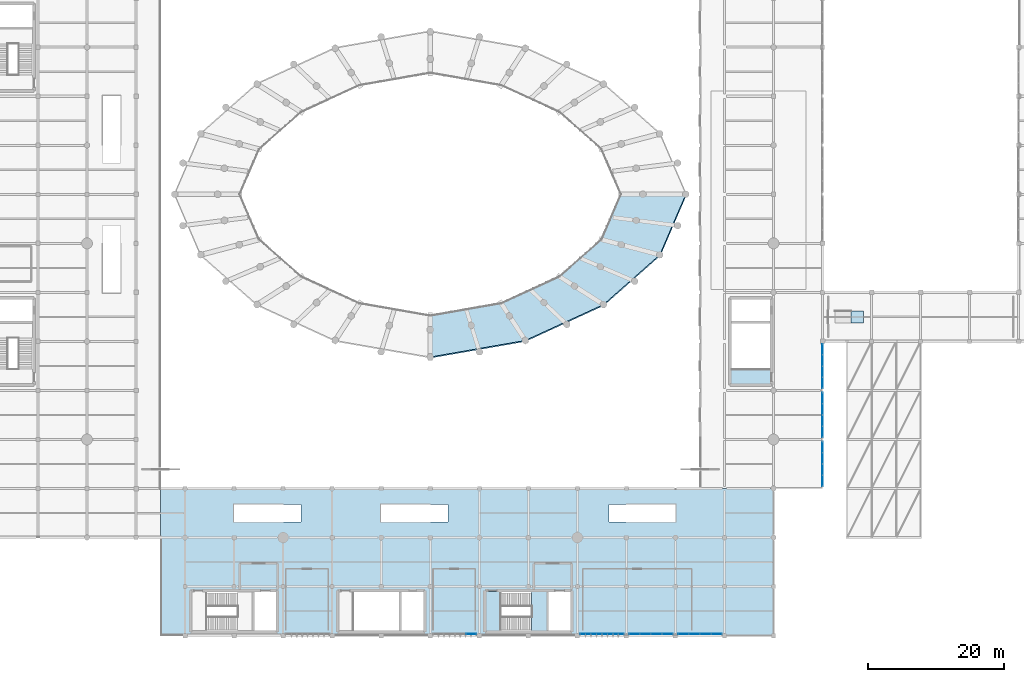
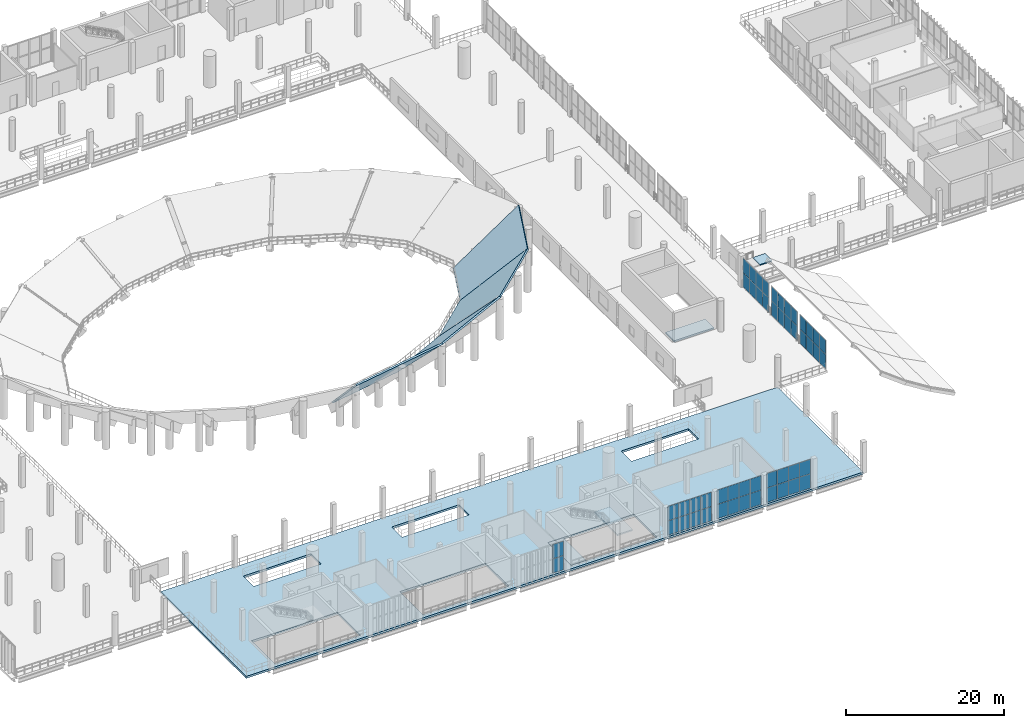
# One storey, part 75 of 105: 50 plates, 9 slabs, 9 elements without a shape of their own.
"""IFC4 building model written with IfcOpenShell, lengths in metres."""

import ifcopenshell
import ifcopenshell.guid

model = None  # the IFC model being written
_history = None  # IfcOwnerHistory: only IFC2X3 demands one
_inside = {}  # id of a spatial element -> (the spatial element, [elements in it])
_under = {}  # id of a project, library or spatial element -> (it, [spatial elements below it])
_declared = {}  # id of a project -> (the project, [libraries it declares])
_typed = {}  # id of a type object -> (the type object, [elements of that type])
_made_of = {}  # id of a material, layer set ... -> (it, [elements and type objects made of it])


def new_model(schema):
    """Start an empty IFC model of exactly this schema.

    Asked for "IFC4X3", IfcOpenShell would pick the latest addendum, in which some entities
    have other attributes; the version numbers below select the first issue.
    IFC2X3 requires an IfcOwnerHistory on every rooted entity: one is made here for all.
    """
    global model, _history
    if schema == "IFC4X3":
        model = ifcopenshell.file(schema_version=(4, 3, 0, 0))
    else:
        model = ifcopenshell.file(schema=schema)
    _inside.clear()
    _under.clear()
    _declared.clear()
    _typed.clear()
    _made_of.clear()
    _history = None
    if model.schema == "IFC2X3":
        org = make("IfcOrganization", Name="unknown")
        user = make(
            "IfcPersonAndOrganization",
            ThePerson=make("IfcPerson", FamilyName="unknown"),
            TheOrganization=org,
        )
        app = make(
            "IfcApplication",
            ApplicationDeveloper=org,
            Version="unknown",
            ApplicationFullName="unknown",
            ApplicationIdentifier="unknown",
        )
        _history = make(
            "IfcOwnerHistory",
            OwningUser=user,
            OwningApplication=app,
            ChangeAction="ADDED",
            CreationDate=0,
        )
    return model


def make(cls, **values):
    """One entity of the class cls with the attributes given. An attribute that is None is left unset."""
    return model.create_entity(
        cls, **{name: value for name, value in values.items() if value is not None}
    )


def rooted(cls, **values):
    """An entity with a GlobalId (a new one), such as an element, a storey or a relation."""
    return make(cls, GlobalId=ifcopenshell.guid.new(), OwnerHistory=_history, **values)


def si_unit(unit_type, name, prefix=None):
    """IfcSIUnit, for example si_unit("LENGTHUNIT", "METRE", prefix="MILLI")."""
    return make("IfcSIUnit", UnitType=unit_type, Prefix=prefix, Name=name)


def assignment(units):
    """IfcUnitAssignment: the units of a project."""
    return None if units is None else make("IfcUnitAssignment", Units=units)


def point(xyz):
    """IfcCartesianPoint."""
    return None if xyz is None else make("IfcCartesianPoint", Coordinates=xyz)


def direction(xyz):
    """IfcDirection."""
    return None if xyz is None else make("IfcDirection", DirectionRatios=xyz)


def frame(location, z_axis=None, x_axis=None):
    """IfcAxis2Placement3D, a coordinate frame: its origin and axes. An axis left out is left unset."""
    return make(
        "IfcAxis2Placement3D",
        Location=point(location),
        Axis=direction(z_axis),
        RefDirection=direction(x_axis),
    )


def frame_2d(location, x_axis=None):
    """IfcAxis2Placement2D, a coordinate frame in the plane: its origin and x axis."""
    return make(
        "IfcAxis2Placement2D", Location=point(location), RefDirection=direction(x_axis)
    )


def origin():
    """The frame at (0, 0, 0) with its axes left unset."""
    return frame((0.0, 0.0, 0.0))


def origin_2d():
    """The frame at (0, 0) in the plane with its x axis left unset."""
    return frame_2d((0.0, 0.0))


def place(relative_to, where):
    """IfcLocalPlacement: puts the frame where relative to a parent placement (None: the world)."""
    return make(
        "IfcLocalPlacement", PlacementRelTo=relative_to, RelativePlacement=where
    )


def context(
    kind, dimensions, precision=None, world=None, true_north=None, identifier=None
):
    """IfcGeometricRepresentationContext, for example the 3D "Model" context."""
    return make(
        "IfcGeometricRepresentationContext",
        ContextIdentifier=identifier,
        ContextType=kind,
        CoordinateSpaceDimension=dimensions,
        Precision=precision,
        WorldCoordinateSystem=world,
        TrueNorth=true_north,
    )


def subcontext(parent, identifier, kind, view, scale=None):
    """IfcGeometricRepresentationSubContext, for example "Body" below "Model"."""
    return make(
        "IfcGeometricRepresentationSubContext",
        ContextIdentifier=identifier,
        ContextType=kind,
        ParentContext=parent,
        TargetScale=scale,
        TargetView=view,
    )


def project(units=None, contexts=None):
    """IfcProject with its units and contexts."""
    return rooted(
        "IfcProject",
        Name="project",
        RepresentationContexts=contexts,
        UnitsInContext=assignment(units),
    )


def spatial(cls, under=None, at=None, **own):
    """A site, building, storey or space (cls), placed at a placement, below another one or the project."""
    s = rooted(cls, ObjectPlacement=at, **own)
    if under is not None:
        _under.setdefault(under.id(), (under, []))[1].append(s)
    return s


def polyline(points):
    """IfcPolyline through the points."""
    return make("IfcPolyline", Points=[point(p) for p in points])


def profile(cls, at=None, kind="AREA", **sizes):
    """A parametric profile (cls). Its sizes go by their IFC names, for example OverallWidth=200.0."""
    return make(cls, ProfileType=kind, Position=at, **sizes)


def rectangle(**sizes):
    """IfcRectangleProfileDef."""
    return profile("IfcRectangleProfileDef", **sizes)


def outline(outer, holes=None, kind="AREA"):
    """IfcArbitraryClosedProfileDef: a profile drawn as a closed curve; with holes, ...WithVoids."""
    if holes is None:
        return make("IfcArbitraryClosedProfileDef", ProfileType=kind, OuterCurve=outer)
    return make(
        "IfcArbitraryProfileDefWithVoids",
        ProfileType=kind,
        OuterCurve=outer,
        InnerCurves=holes,
    )


def extrude(swept, where, along, depth):
    """IfcExtrudedAreaSolid: the profile swept, set in the frame where, extruded along a direction by depth."""
    return make(
        "IfcExtrudedAreaSolid",
        SweptArea=swept,
        Position=where,
        ExtrudedDirection=direction(along),
        Depth=depth,
    )


def shape(context_of_items, identifier, shape_type, items):
    """IfcShapeRepresentation: the items that make up one representation, for example the "Body"."""
    return make(
        "IfcShapeRepresentation",
        ContextOfItems=context_of_items,
        RepresentationIdentifier=identifier,
        RepresentationType=shape_type,
        Items=items,
    )


def material(Name=None, Category=None):
    """IfcMaterial."""
    return make("IfcMaterial", Name=Name, Category=Category)


def layer(
    of_material, thickness, ventilated=None, Name=None, Category=None, Priority=None
):
    """IfcMaterialLayer: one layer of a wall or slab, of a material (None: an air gap)."""
    return make(
        "IfcMaterialLayer",
        Material=of_material,
        LayerThickness=thickness,
        IsVentilated=ventilated,
        Name=Name,
        Category=Category,
        Priority=Priority,
    )


def layer_set(layers, Name=None):
    """IfcMaterialLayerSet."""
    return make("IfcMaterialLayerSet", MaterialLayers=layers, LayerSetName=Name)


def made_of(thing, what):
    """Note that an element or type object is made of a material, layer set ...; save() writes the relation."""
    if what is not None:
        _made_of.setdefault(what.id(), (what, []))[1].append(thing)
    return thing


def type_object(cls, material=None, **own):
    """A type object (cls), such as IfcWallType, which elements share."""
    return made_of(rooted(cls, **own), material)


def element(
    cls,
    number,
    at=None,
    inside=None,
    cuts=None,
    type_object=None,
    material=None,
    context=None,
    identifier="Body",
    shape_type=None,
    held_by="IfcProductDefinitionShape",
    body=None,
    shapes=None,
    **own,
):
    """One element of the class cls, such as IfcWall. Its Tag is "e" and its number.

    at: its placement. inside: the storey or other place that contains it. cuts: it is an
    opening in that element (IfcRelVoidsElement). A single representation is given by context,
    identifier, shape_type and body (its items); several are given by shapes. held_by: the class
    of the entity that holds the representations. save() writes the other relations.
    """
    e = rooted(cls, Tag="e%d" % number, ObjectPlacement=at, **own)
    if body is not None:
        shapes = [shape(context, identifier, shape_type, body)]
    if shapes is not None:
        e.Representation = make(held_by, Representations=shapes)
    if inside is not None:
        _inside.setdefault(inside.id(), (inside, []))[1].append(e)
    if cuts is not None:
        rooted(
            "IfcRelVoidsElement", RelatingBuildingElement=cuts, RelatedOpeningElement=e
        )
    if type_object is not None:
        _typed.setdefault(type_object.id(), (type_object, []))[1].append(e)
    return made_of(e, material)


def aggregate(whole, parts):
    """IfcRelAggregates: a whole, such as a stair, and the parts it consists of."""
    return rooted("IfcRelAggregates", RelatingObject=whole, RelatedObjects=parts)


def save(model, path):
    """Write the relations noted so far, then the file.

    IfcRelAggregates (storeys below a building ...), IfcRelContainedInSpatialStructure (elements
    in a storey), IfcRelDefinesByType, IfcRelAssociatesMaterial and IfcRelDeclares: one each for
    every whole, place, type object, material and project.
    """
    for whole, parts in _under.values():
        aggregate(whole, parts)
    for where, things in _inside.values():
        rooted(
            "IfcRelContainedInSpatialStructure",
            RelatedElements=things,
            RelatingStructure=where,
        )
    for kind, things in _typed.values():
        rooted("IfcRelDefinesByType", RelatedObjects=things, RelatingType=kind)
    for what, things in _made_of.values():
        rooted("IfcRelAssociatesMaterial", RelatedObjects=things, RelatingMaterial=what)
    for by, libraries in _declared.values():
        rooted("IfcRelDeclares", RelatingContext=by, RelatedDefinitions=libraries)
    model.write(path)


model = new_model("IFC4")

# Units and contexts
model_context = context("Model", 3, precision=1e-05, world=origin(), true_north=direction((0.0, 1.0)))
body_context = subcontext(model_context, "Body", "Model", "MODEL_VIEW")
ifc_project = project(units=[si_unit("LENGTHUNIT", "METRE"), si_unit("AREAUNIT", "SQUARE_METRE"), si_unit("VOLUMEUNIT", "CUBIC_METRE"), si_unit("PLANEANGLEUNIT", "RADIAN"), si_unit("MASSUNIT", "GRAM", prefix="KILO")], contexts=[model_context])

# Site, building, storey
site_placement = place(None, origin())
site = spatial("IfcSite", under=ifc_project, at=site_placement, CompositionType="ELEMENT")
building_placement = place(site_placement, origin())
building = spatial("IfcBuilding", under=site, at=building_placement, Name="Qandorah Velis Arena", CompositionType="ELEMENT")
storey_placement = place(building_placement, frame((0.0, 0.0, 13.800048828125)))
storey = spatial("IfcBuildingStorey", under=building, at=storey_placement, Name="L03", CompositionType="ELEMENT", Elevation=13.800048828125)

# Curtain wall, plates
ifc_material_1 = material(Name="Solar-control low-E double glazing", Category="glass")
curtain_wall_type_1 = type_object("IfcCurtainWallType", Name="ARC-CW-SYS21", PredefinedType="USERDEFINED", material=ifc_material_1)
curtain_wall_1_placement = place(storey_placement, origin())
curtain_wall_1 = element("IfcCurtainWall", 1, at=curtain_wall_1_placement, inside=storey, type_object=curtain_wall_type_1, Name="Unitised curtain wall L03-069", ObjectType="UNITISED CURTAIN WALL", PredefinedType="USERDEFINED")
ifc_layer_1 = layer(ifc_material_1, 0.02392578125)
ifc_layer_set_1 = layer_set([ifc_layer_1], Name="Solar-control low-E double glazing")
plate_type_1 = type_object("IfcPlateType", Name="ARC-CWP-GLZ24", PredefinedType="CURTAIN_PANEL", material=ifc_layer_set_1)
plate_1_placement = place(storey_placement, frame((70.81884765625, 0.25, 0.06494140625), z_axis=(0.0, 0.0, 1.0), x_axis=(1.0, 0.0, 0.0)))
plate_1 = element("IfcPlate", 2, at=plate_1_placement, type_object=plate_type_1, Name="CW21 panel 4.1", PredefinedType="CURTAIN_PANEL", context=body_context, shape_type="SweptSolid", body=[
    extrude(rectangle(XDim=1.532470703125, YDim=0.02392578125, at=origin_2d()), origin(), (0.0, 0.0, 1.0), 2.172607421875),
])
plate_2_placement = place(storey_placement, frame((70.81884765625, 0.25, 2.29248046875), z_axis=(0.0, 0.0, 1.0), x_axis=(1.0, 0.0, 0.0)))
plate_2 = element("IfcPlate", 3, at=plate_2_placement, type_object=plate_type_1, Name="CW21 panel 4.2", PredefinedType="CURTAIN_PANEL", context=body_context, shape_type="SweptSolid", body=[
    extrude(rectangle(XDim=1.532470703125, YDim=0.02392578125, at=origin_2d()), origin(), (0.0, 0.0, 1.0), 2.172607421875),
])
aggregate(curtain_wall_1, [plate_1, plate_2])

curtain_wall_type_2 = type_object("IfcCurtainWallType", Name="ARC-CW-SYS24", PredefinedType="USERDEFINED", material=ifc_material_1)
curtain_wall_2_placement = place(storey_placement, origin())
curtain_wall_2 = element("IfcCurtainWall", 4, at=curtain_wall_2_placement, inside=storey, type_object=curtain_wall_type_2, Name="Unitised curtain wall L03-072", ObjectType="UNITISED CURTAIN WALL", PredefinedType="USERDEFINED")
ifc_layer_2 = layer(ifc_material_1, 0.030029296875)
ifc_layer_set_2 = layer_set([ifc_layer_2], Name="Solar-control low-E double glazing")
plate_type_2 = type_object("IfcPlateType", Name="ARC-CWP-GLZ30", PredefinedType="CURTAIN_PANEL", material=ifc_layer_set_2)
plate_3_placement = place(storey_placement, frame((101.976318359375, 0.25, 0.044921875), z_axis=(0.0, 0.0, 1.0), x_axis=(1.0, 0.0, 0.0)))
plate_3 = element("IfcPlate", 5, at=plate_3_placement, type_object=plate_type_2, Name="CW24 panel 1.1", PredefinedType="CURTAIN_PANEL", context=body_context, shape_type="SweptSolid", body=[
    extrude(rectangle(XDim=1.5625, YDim=0.030029296875, at=origin_2d()), origin(), (0.0, 0.0, 1.0), 2.202392578125),
])
plate_4_placement = place(storey_placement, frame((101.976318359375, 0.25, 2.28271484375), z_axis=(0.0, 0.0, 1.0), x_axis=(1.0, 0.0, 0.0)))
plate_4 = element("IfcPlate", 6, at=plate_4_placement, type_object=plate_type_2, Name="CW24 panel 1.2", PredefinedType="CURTAIN_PANEL", context=body_context, shape_type="SweptSolid", body=[
    extrude(rectangle(XDim=1.5625, YDim=0.030029296875, at=origin_2d()), origin(), (0.0, 0.0, 1.0), 2.202392578125),
])
plate_5_placement = place(storey_placement, frame((103.58740234375, 0.25, 0.044921875), z_axis=(0.0, 0.0, 1.0), x_axis=(1.0, 0.0, 0.0)))
plate_5 = element("IfcPlate", 7, at=plate_5_placement, type_object=plate_type_2, Name="CW24 panel 2.1", PredefinedType="CURTAIN_PANEL", context=body_context, shape_type="SweptSolid", body=[
    extrude(rectangle(XDim=1.590087890625, YDim=0.030029296875, at=origin_2d()), origin(), (0.0, 0.0, 1.0), 2.202392578125),
])
plate_6_placement = place(storey_placement, frame((103.58740234375, 0.25, 2.28271484375), z_axis=(0.0, 0.0, 1.0), x_axis=(1.0, 0.0, 0.0)))
plate_6 = element("IfcPlate", 8, at=plate_6_placement, type_object=plate_type_2, Name="CW24 panel 2.2", PredefinedType="CURTAIN_PANEL", context=body_context, shape_type="SweptSolid", body=[
    extrude(rectangle(XDim=1.590087890625, YDim=0.030029296875, at=origin_2d()), origin(), (0.0, 0.0, 1.0), 2.202392578125),
])
plate_7_placement = place(storey_placement, frame((105.21240234375, 0.25, 0.044921875), z_axis=(0.0, 0.0, 1.0), x_axis=(1.0, 0.0, 0.0)))
plate_7 = element("IfcPlate", 9, at=plate_7_placement, type_object=plate_type_2, Name="CW24 panel 3.1", PredefinedType="CURTAIN_PANEL", context=body_context, shape_type="SweptSolid", body=[
    extrude(rectangle(XDim=1.590087890625, YDim=0.030029296875, at=origin_2d()), origin(), (0.0, 0.0, 1.0), 2.202392578125),
])
plate_8_placement = place(storey_placement, frame((105.21240234375, 0.25, 2.28271484375), z_axis=(0.0, 0.0, 1.0), x_axis=(1.0, 0.0, 0.0)))
plate_8 = element("IfcPlate", 10, at=plate_8_placement, type_object=plate_type_2, Name="CW24 panel 3.2", PredefinedType="CURTAIN_PANEL", context=body_context, shape_type="SweptSolid", body=[
    extrude(rectangle(XDim=1.590087890625, YDim=0.030029296875, at=origin_2d()), origin(), (0.0, 0.0, 1.0), 2.202392578125),
])
plate_9_placement = place(storey_placement, frame((106.82373046875, 0.25, 0.044921875), z_axis=(0.0, 0.0, 1.0), x_axis=(1.0, 0.0, 0.0)))
plate_9 = element("IfcPlate", 11, at=plate_9_placement, type_object=plate_type_2, Name="CW24 panel 4.1", PredefinedType="CURTAIN_PANEL", context=body_context, shape_type="SweptSolid", body=[
    extrude(rectangle(XDim=1.5625, YDim=0.030029296875, at=origin_2d()), origin(), (0.0, 0.0, 1.0), 2.202392578125),
])
plate_10_placement = place(storey_placement, frame((106.82373046875, 0.25, 2.28271484375), z_axis=(0.0, 0.0, 1.0), x_axis=(1.0, 0.0, 0.0)))
plate_10 = element("IfcPlate", 12, at=plate_10_placement, type_object=plate_type_2, Name="CW24 panel 4.2", PredefinedType="CURTAIN_PANEL", context=body_context, shape_type="SweptSolid", body=[
    extrude(rectangle(XDim=1.5625, YDim=0.030029296875, at=origin_2d()), origin(), (0.0, 0.0, 1.0), 2.202392578125),
])
aggregate(curtain_wall_2, [plate_3, plate_4, plate_5, plate_6, plate_7, plate_8, plate_9, plate_10])

curtain_wall_type_3 = type_object("IfcCurtainWallType", Name="ARC-CW-SYS04", PredefinedType="USERDEFINED", material=ifc_material_1)
curtain_wall_3_placement = place(storey_placement, origin())
curtain_wall_3 = element("IfcCurtainWall", 13, at=curtain_wall_3_placement, inside=storey, type_object=curtain_wall_type_3, Name="Unitised curtain wall L03-172", ObjectType="UNITISED CURTAIN WALL", PredefinedType="USERDEFINED")
plate_11_placement = place(storey_placement, frame((122.39990234375, 37.132568359375, 0.044921875), z_axis=(0.0, 0.0, 1.0), x_axis=(0.0, 1.0, 0.0)))
plate_11 = element("IfcPlate", 14, at=plate_11_placement, type_object=plate_type_2, Name="CW04 panel 1.1", PredefinedType="CURTAIN_PANEL", context=body_context, shape_type="SweptSolid", body=[
    extrude(rectangle(XDim=1.574951171875, YDim=0.030029296875, at=origin_2d()), origin(), (0.0, 0.0, 1.0), 2.202392578125),
])
plate_12_placement = place(storey_placement, frame((122.39990234375, 37.132568359375, 2.28271484375), z_axis=(0.0, 0.0, 1.0), x_axis=(0.0, 1.0, 0.0)))
plate_12 = element("IfcPlate", 15, at=plate_12_placement, type_object=plate_type_2, Name="CW04 panel 1.2", PredefinedType="CURTAIN_PANEL", context=body_context, shape_type="SweptSolid", body=[
    extrude(rectangle(XDim=1.574951171875, YDim=0.030029296875, at=origin_2d()), origin(), (0.0, 0.0, 1.0), 2.202392578125),
])
plate_13_placement = place(storey_placement, frame((122.39990234375, 38.75634765625, 0.044921875), z_axis=(0.0, 0.0, 1.0), x_axis=(0.0, 1.0, 0.0)))
plate_13 = element("IfcPlate", 16, at=plate_13_placement, type_object=plate_type_2, Name="CW04 panel 2.1", PredefinedType="CURTAIN_PANEL", context=body_context, shape_type="SweptSolid", body=[
    extrude(rectangle(XDim=1.6025390625, YDim=0.030029296875, at=origin_2d()), origin(), (0.0, 0.0, 1.0), 2.202392578125),
])
plate_14_placement = place(storey_placement, frame((122.39990234375, 38.75634765625, 2.28271484375), z_axis=(0.0, 0.0, 1.0), x_axis=(0.0, 1.0, 0.0)))
plate_14 = element("IfcPlate", 17, at=plate_14_placement, type_object=plate_type_2, Name="CW04 panel 2.2", PredefinedType="CURTAIN_PANEL", context=body_context, shape_type="SweptSolid", body=[
    extrude(rectangle(XDim=1.6025390625, YDim=0.030029296875, at=origin_2d()), origin(), (0.0, 0.0, 1.0), 2.202392578125),
])
plate_15_placement = place(storey_placement, frame((122.39990234375, 40.393798828125, 0.044921875), z_axis=(0.0, 0.0, 1.0), x_axis=(0.0, 1.0, 0.0)))
plate_15 = element("IfcPlate", 18, at=plate_15_placement, type_object=plate_type_2, Name="CW04 panel 3.1", PredefinedType="CURTAIN_PANEL", context=body_context, shape_type="SweptSolid", body=[
    extrude(rectangle(XDim=1.6025390625, YDim=0.030029296875, at=origin_2d()), origin(), (0.0, 0.0, 1.0), 2.202392578125),
])
plate_16_placement = place(storey_placement, frame((122.39990234375, 40.393798828125, 2.28271484375), z_axis=(0.0, 0.0, 1.0), x_axis=(0.0, 1.0, 0.0)))
plate_16 = element("IfcPlate", 19, at=plate_16_placement, type_object=plate_type_2, Name="CW04 panel 3.2", PredefinedType="CURTAIN_PANEL", context=body_context, shape_type="SweptSolid", body=[
    extrude(rectangle(XDim=1.6025390625, YDim=0.030029296875, at=origin_2d()), origin(), (0.0, 0.0, 1.0), 2.202392578125),
])
plate_17_placement = place(storey_placement, frame((122.39990234375, 42.017578125, 0.044921875), z_axis=(0.0, 0.0, 1.0), x_axis=(0.0, 1.0, 0.0)))
plate_17 = element("IfcPlate", 20, at=plate_17_placement, type_object=plate_type_2, Name="CW04 panel 4.1", PredefinedType="CURTAIN_PANEL", context=body_context, shape_type="SweptSolid", body=[
    extrude(rectangle(XDim=1.574951171875, YDim=0.030029296875, at=origin_2d()), origin(), (0.0, 0.0, 1.0), 2.202392578125),
])
plate_18_placement = place(storey_placement, frame((122.39990234375, 42.017578125, 2.28271484375), z_axis=(0.0, 0.0, 1.0), x_axis=(0.0, 1.0, 0.0)))
plate_18 = element("IfcPlate", 21, at=plate_18_placement, type_object=plate_type_2, Name="CW04 panel 4.2", PredefinedType="CURTAIN_PANEL", context=body_context, shape_type="SweptSolid", body=[
    extrude(rectangle(XDim=1.574951171875, YDim=0.030029296875, at=origin_2d()), origin(), (0.0, 0.0, 1.0), 2.202392578125),
])
aggregate(curtain_wall_3, [plate_11, plate_12, plate_13, plate_14, plate_15, plate_16, plate_17, plate_18])

curtain_wall_type_4 = type_object("IfcCurtainWallType", Name="ARC-CW-SYS23", PredefinedType="USERDEFINED", material=ifc_material_1)
curtain_wall_4_placement = place(storey_placement, origin())
curtain_wall_4 = element("IfcCurtainWall", 22, at=curtain_wall_4_placement, inside=storey, type_object=curtain_wall_type_4, Name="Unitised curtain wall L03-071", ObjectType="UNITISED CURTAIN WALL", PredefinedType="USERDEFINED")
ifc_layer_3 = layer(ifc_material_1, 0.035888671875)
ifc_layer_set_3 = layer_set([ifc_layer_3], Name="Solar-control low-E double glazing")
plate_type_3 = type_object("IfcPlateType", Name="ARC-CWP-GLZ36", PredefinedType="CURTAIN_PANEL", material=ifc_layer_set_3)
plate_19_placement = place(storey_placement, frame((94.777587890625, 0.25, 0.0498046875), z_axis=(0.0, 0.0, 1.0), x_axis=(1.0, 0.0, 0.0)))
plate_19 = element("IfcPlate", 23, at=plate_19_placement, type_object=plate_type_3, Name="CW23 panel 1.1", PredefinedType="CURTAIN_PANEL", context=body_context, shape_type="SweptSolid", body=[
    extrude(rectangle(XDim=1.554931640625, YDim=0.035888671875, at=origin_2d()), origin(), (0.0, 0.0, 1.0), 2.195068359375),
])
plate_20_placement = place(storey_placement, frame((94.777587890625, 0.25, 2.28515625), z_axis=(0.0, 0.0, 1.0), x_axis=(1.0, 0.0, 0.0)))
plate_20 = element("IfcPlate", 24, at=plate_20_placement, type_object=plate_type_3, Name="CW23 panel 1.2", PredefinedType="CURTAIN_PANEL", context=body_context, shape_type="SweptSolid", body=[
    extrude(rectangle(XDim=1.554931640625, YDim=0.035888671875, at=origin_2d()), origin(), (0.0, 0.0, 1.0), 2.195068359375),
])
plate_21_placement = place(storey_placement, frame((96.387451171875, 0.25, 0.0498046875), z_axis=(0.0, 0.0, 1.0), x_axis=(1.0, 0.0, 0.0)))
plate_21 = element("IfcPlate", 25, at=plate_21_placement, type_object=plate_type_3, Name="CW23 panel 2.1", PredefinedType="CURTAIN_PANEL", context=body_context, shape_type="SweptSolid", body=[
    extrude(rectangle(XDim=1.5849609375, YDim=0.035888671875, at=origin_2d()), origin(), (0.0, 0.0, 1.0), 2.195068359375),
])
plate_22_placement = place(storey_placement, frame((96.387451171875, 0.25, 2.28515625), z_axis=(0.0, 0.0, 1.0), x_axis=(1.0, 0.0, 0.0)))
plate_22 = element("IfcPlate", 26, at=plate_22_placement, type_object=plate_type_3, Name="CW23 panel 2.2", PredefinedType="CURTAIN_PANEL", context=body_context, shape_type="SweptSolid", body=[
    extrude(rectangle(XDim=1.5849609375, YDim=0.035888671875, at=origin_2d()), origin(), (0.0, 0.0, 1.0), 2.195068359375),
])
plate_23_placement = place(storey_placement, frame((98.012451171875, 0.25, 0.0498046875), z_axis=(0.0, 0.0, 1.0), x_axis=(1.0, 0.0, 0.0)))
plate_23 = element("IfcPlate", 27, at=plate_23_placement, type_object=plate_type_3, Name="CW23 panel 3.1", PredefinedType="CURTAIN_PANEL", context=body_context, shape_type="SweptSolid", body=[
    extrude(rectangle(XDim=1.5849609375, YDim=0.035888671875, at=origin_2d()), origin(), (0.0, 0.0, 1.0), 2.195068359375),
])
plate_24_placement = place(storey_placement, frame((98.012451171875, 0.25, 2.28515625), z_axis=(0.0, 0.0, 1.0), x_axis=(1.0, 0.0, 0.0)))
plate_24 = element("IfcPlate", 28, at=plate_24_placement, type_object=plate_type_3, Name="CW23 panel 3.2", PredefinedType="CURTAIN_PANEL", context=body_context, shape_type="SweptSolid", body=[
    extrude(rectangle(XDim=1.5849609375, YDim=0.035888671875, at=origin_2d()), origin(), (0.0, 0.0, 1.0), 2.195068359375),
])
plate_25_placement = place(storey_placement, frame((99.62255859375, 0.25, 0.0498046875), z_axis=(0.0, 0.0, 1.0), x_axis=(1.0, 0.0, 0.0)))
plate_25 = element("IfcPlate", 29, at=plate_25_placement, type_object=plate_type_3, Name="CW23 panel 4.1", PredefinedType="CURTAIN_PANEL", context=body_context, shape_type="SweptSolid", body=[
    extrude(rectangle(XDim=1.554931640625, YDim=0.035888671875, at=origin_2d()), origin(), (0.0, 0.0, 1.0), 2.195068359375),
])
plate_26_placement = place(storey_placement, frame((99.62255859375, 0.25, 2.28515625), z_axis=(0.0, 0.0, 1.0), x_axis=(1.0, 0.0, 0.0)))
plate_26 = element("IfcPlate", 30, at=plate_26_placement, type_object=plate_type_3, Name="CW23 panel 4.2", PredefinedType="CURTAIN_PANEL", context=body_context, shape_type="SweptSolid", body=[
    extrude(rectangle(XDim=1.554931640625, YDim=0.035888671875, at=origin_2d()), origin(), (0.0, 0.0, 1.0), 2.195068359375),
])
aggregate(curtain_wall_4, [plate_19, plate_20, plate_21, plate_22, plate_23, plate_24, plate_25, plate_26])

curtain_wall_type_5 = type_object("IfcCurtainWallType", Name="ARC-CW-SYS03", PredefinedType="USERDEFINED", material=ifc_material_1)
curtain_wall_5_placement = place(storey_placement, origin())
curtain_wall_5 = element("IfcCurtainWall", 31, at=curtain_wall_5_placement, inside=storey, type_object=curtain_wall_type_5, Name="Unitised curtain wall L03-171", ObjectType="UNITISED CURTAIN WALL", PredefinedType="USERDEFINED")
plate_27_placement = place(storey_placement, frame((122.39990234375, 29.93994140625, 0.0498046875), z_axis=(0.0, 0.0, 1.0), x_axis=(0.0, 1.0, 0.0)))
plate_27 = element("IfcPlate", 32, at=plate_27_placement, type_object=plate_type_3, Name="CW03 panel 1.1", PredefinedType="CURTAIN_PANEL", context=body_context, shape_type="SweptSolid", body=[
    extrude(rectangle(XDim=1.580078125, YDim=0.035888671875, at=origin_2d()), origin(), (0.0, 0.0, 1.0), 2.195068359375),
])
plate_28_placement = place(storey_placement, frame((122.39990234375, 29.93994140625, 2.28515625), z_axis=(0.0, 0.0, 1.0), x_axis=(0.0, 1.0, 0.0)))
plate_28 = element("IfcPlate", 33, at=plate_28_placement, type_object=plate_type_3, Name="CW03 panel 1.2", PredefinedType="CURTAIN_PANEL", context=body_context, shape_type="SweptSolid", body=[
    extrude(rectangle(XDim=1.580078125, YDim=0.035888671875, at=origin_2d()), origin(), (0.0, 0.0, 1.0), 2.195068359375),
])
plate_29_placement = place(storey_placement, frame((122.39990234375, 31.574951171875, 0.0498046875), z_axis=(0.0, 0.0, 1.0), x_axis=(0.0, 1.0, 0.0)))
plate_29 = element("IfcPlate", 34, at=plate_29_placement, type_object=plate_type_3, Name="CW03 panel 2.1", PredefinedType="CURTAIN_PANEL", context=body_context, shape_type="SweptSolid", body=[
    extrude(rectangle(XDim=1.610107421875, YDim=0.035888671875, at=origin_2d()), origin(), (0.0, 0.0, 1.0), 2.195068359375),
])
plate_30_placement = place(storey_placement, frame((122.39990234375, 31.574951171875, 2.28515625), z_axis=(0.0, 0.0, 1.0), x_axis=(0.0, 1.0, 0.0)))
plate_30 = element("IfcPlate", 35, at=plate_30_placement, type_object=plate_type_3, Name="CW03 panel 2.2", PredefinedType="CURTAIN_PANEL", context=body_context, shape_type="SweptSolid", body=[
    extrude(rectangle(XDim=1.610107421875, YDim=0.035888671875, at=origin_2d()), origin(), (0.0, 0.0, 1.0), 2.195068359375),
])
plate_31_placement = place(storey_placement, frame((122.39990234375, 33.22509765625, 0.0498046875), z_axis=(0.0, 0.0, 1.0), x_axis=(0.0, 1.0, 0.0)))
plate_31 = element("IfcPlate", 36, at=plate_31_placement, type_object=plate_type_3, Name="CW03 panel 3.1", PredefinedType="CURTAIN_PANEL", context=body_context, shape_type="SweptSolid", body=[
    extrude(rectangle(XDim=1.610107421875, YDim=0.035888671875, at=origin_2d()), origin(), (0.0, 0.0, 1.0), 2.195068359375),
])
plate_32_placement = place(storey_placement, frame((122.39990234375, 33.22509765625, 2.28515625), z_axis=(0.0, 0.0, 1.0), x_axis=(0.0, 1.0, 0.0)))
plate_32 = element("IfcPlate", 37, at=plate_32_placement, type_object=plate_type_3, Name="CW03 panel 3.2", PredefinedType="CURTAIN_PANEL", context=body_context, shape_type="SweptSolid", body=[
    extrude(rectangle(XDim=1.610107421875, YDim=0.035888671875, at=origin_2d()), origin(), (0.0, 0.0, 1.0), 2.195068359375),
])
plate_33_placement = place(storey_placement, frame((122.39990234375, 34.860107421875, 0.0498046875), z_axis=(0.0, 0.0, 1.0), x_axis=(0.0, 1.0, 0.0)))
plate_33 = element("IfcPlate", 38, at=plate_33_placement, type_object=plate_type_3, Name="CW03 panel 4.1", PredefinedType="CURTAIN_PANEL", context=body_context, shape_type="SweptSolid", body=[
    extrude(rectangle(XDim=1.580078125, YDim=0.035888671875, at=origin_2d()), origin(), (0.0, 0.0, 1.0), 2.195068359375),
])
plate_34_placement = place(storey_placement, frame((122.39990234375, 34.860107421875, 2.28515625), z_axis=(0.0, 0.0, 1.0), x_axis=(0.0, 1.0, 0.0)))
plate_34 = element("IfcPlate", 39, at=plate_34_placement, type_object=plate_type_3, Name="CW03 panel 4.2", PredefinedType="CURTAIN_PANEL", context=body_context, shape_type="SweptSolid", body=[
    extrude(rectangle(XDim=1.580078125, YDim=0.035888671875, at=origin_2d()), origin(), (0.0, 0.0, 1.0), 2.195068359375),
])
aggregate(curtain_wall_5, [plate_27, plate_28, plate_29, plate_30, plate_31, plate_32, plate_33, plate_34])

curtain_wall_type_6 = type_object("IfcCurtainWallType", Name="ARC-CW-SYS22", PredefinedType="USERDEFINED", material=ifc_material_1)
curtain_wall_6_placement = place(storey_placement, origin())
curtain_wall_6 = element("IfcCurtainWall", 40, at=curtain_wall_6_placement, inside=storey, type_object=curtain_wall_type_6, Name="Unitised curtain wall L03-070", ObjectType="UNITISED CURTAIN WALL", PredefinedType="USERDEFINED")
ifc_layer_4 = layer(ifc_material_1, 0.0439453125)
ifc_layer_set_4 = layer_set([ifc_layer_4], Name="Solar-control low-E double glazing")
plate_type_4 = type_object("IfcPlateType", Name="ARC-CWP-SPN44", PredefinedType="CURTAIN_PANEL", material=ifc_layer_set_4)
plate_35_placement = place(storey_placement, frame((87.578857421875, 0.25, 0.054931640625), z_axis=(0.0, 0.0, 1.0), x_axis=(1.0, 0.0, 0.0)))
plate_35 = element("IfcPlate", 41, at=plate_35_placement, type_object=plate_type_4, Name="CW22 panel 1.1", PredefinedType="CURTAIN_PANEL", context=body_context, shape_type="SweptSolid", body=[
    extrude(rectangle(XDim=1.547607421875, YDim=0.0439453125, at=origin_2d()), origin(), (0.0, 0.0, 1.0), 2.1875),
])
plate_36_placement = place(storey_placement, frame((87.578857421875, 0.25, 2.287353515625), z_axis=(0.0, 0.0, 1.0), x_axis=(1.0, 0.0, 0.0)))
plate_36 = element("IfcPlate", 42, at=plate_36_placement, type_object=plate_type_4, Name="CW22 panel 1.2", PredefinedType="CURTAIN_PANEL", context=body_context, shape_type="SweptSolid", body=[
    extrude(rectangle(XDim=1.547607421875, YDim=0.0439453125, at=origin_2d()), origin(), (0.0, 0.0, 1.0), 2.1875),
])
plate_37_placement = place(storey_placement, frame((89.1875, 0.25, 0.054931640625), z_axis=(0.0, 0.0, 1.0), x_axis=(1.0, 0.0, 0.0)))
plate_37 = element("IfcPlate", 43, at=plate_37_placement, type_object=plate_type_4, Name="CW22 panel 2.1", PredefinedType="CURTAIN_PANEL", context=body_context, shape_type="SweptSolid", body=[
    extrude(rectangle(XDim=1.580078125, YDim=0.0439453125, at=origin_2d()), origin(), (0.0, 0.0, 1.0), 2.1875),
])
plate_38_placement = place(storey_placement, frame((89.1875, 0.25, 2.287353515625), z_axis=(0.0, 0.0, 1.0), x_axis=(1.0, 0.0, 0.0)))
plate_38 = element("IfcPlate", 44, at=plate_38_placement, type_object=plate_type_4, Name="CW22 panel 2.2", PredefinedType="CURTAIN_PANEL", context=body_context, shape_type="SweptSolid", body=[
    extrude(rectangle(XDim=1.580078125, YDim=0.0439453125, at=origin_2d()), origin(), (0.0, 0.0, 1.0), 2.1875),
])
plate_39_placement = place(storey_placement, frame((90.8125, 0.25, 0.054931640625), z_axis=(0.0, 0.0, 1.0), x_axis=(1.0, 0.0, 0.0)))
plate_39 = element("IfcPlate", 45, at=plate_39_placement, type_object=plate_type_4, Name="CW22 panel 3.1", PredefinedType="CURTAIN_PANEL", context=body_context, shape_type="SweptSolid", body=[
    extrude(rectangle(XDim=1.580078125, YDim=0.0439453125, at=origin_2d()), origin(), (0.0, 0.0, 1.0), 2.1875),
])
plate_40_placement = place(storey_placement, frame((90.8125, 0.25, 2.287353515625), z_axis=(0.0, 0.0, 1.0), x_axis=(1.0, 0.0, 0.0)))
plate_40 = element("IfcPlate", 46, at=plate_40_placement, type_object=plate_type_4, Name="CW22 panel 3.2", PredefinedType="CURTAIN_PANEL", context=body_context, shape_type="SweptSolid", body=[
    extrude(rectangle(XDim=1.580078125, YDim=0.0439453125, at=origin_2d()), origin(), (0.0, 0.0, 1.0), 2.1875),
])
plate_41_placement = place(storey_placement, frame((92.421142578125, 0.25, 0.054931640625), z_axis=(0.0, 0.0, 1.0), x_axis=(1.0, 0.0, 0.0)))
plate_41 = element("IfcPlate", 47, at=plate_41_placement, type_object=plate_type_4, Name="CW22 panel 4.1", PredefinedType="CURTAIN_PANEL", context=body_context, shape_type="SweptSolid", body=[
    extrude(rectangle(XDim=1.547607421875, YDim=0.0439453125, at=origin_2d()), origin(), (0.0, 0.0, 1.0), 2.1875),
])
plate_42_placement = place(storey_placement, frame((92.421142578125, 0.25, 2.287353515625), z_axis=(0.0, 0.0, 1.0), x_axis=(1.0, 0.0, 0.0)))
plate_42 = element("IfcPlate", 48, at=plate_42_placement, type_object=plate_type_4, Name="CW22 panel 4.2", PredefinedType="CURTAIN_PANEL", context=body_context, shape_type="SweptSolid", body=[
    extrude(rectangle(XDim=1.547607421875, YDim=0.0439453125, at=origin_2d()), origin(), (0.0, 0.0, 1.0), 2.1875),
])
aggregate(curtain_wall_6, [plate_35, plate_36, plate_37, plate_38, plate_39, plate_40, plate_41, plate_42])

curtain_wall_type_7 = type_object("IfcCurtainWallType", Name="ARC-CW-SYS02", PredefinedType="USERDEFINED", material=ifc_material_1)
curtain_wall_7_placement = place(storey_placement, origin())
curtain_wall_7 = element("IfcCurtainWall", 49, at=curtain_wall_7_placement, inside=storey, type_object=curtain_wall_type_7, Name="Unitised curtain wall L03-170", ObjectType="UNITISED CURTAIN WALL", PredefinedType="USERDEFINED")
plate_43_placement = place(storey_placement, frame((122.39990234375, 22.7412109375, 0.054931640625), z_axis=(0.0, 0.0, 1.0), x_axis=(0.0, 1.0, 0.0)))
plate_43 = element("IfcPlate", 50, at=plate_43_placement, type_object=plate_type_4, Name="CW02 panel 1.1", PredefinedType="CURTAIN_PANEL", context=body_context, shape_type="SweptSolid", body=[
    extrude(rectangle(XDim=1.572509765625, YDim=0.0439453125, at=origin_2d()), origin(), (0.0, 0.0, 1.0), 2.1875),
])
plate_44_placement = place(storey_placement, frame((122.39990234375, 22.7412109375, 2.287353515625), z_axis=(0.0, 0.0, 1.0), x_axis=(0.0, 1.0, 0.0)))
plate_44 = element("IfcPlate", 51, at=plate_44_placement, type_object=plate_type_4, Name="CW02 panel 1.2", PredefinedType="CURTAIN_PANEL", context=body_context, shape_type="SweptSolid", body=[
    extrude(rectangle(XDim=1.572509765625, YDim=0.0439453125, at=origin_2d()), origin(), (0.0, 0.0, 1.0), 2.1875),
])
plate_45_placement = place(storey_placement, frame((122.39990234375, 24.375, 0.054931640625), z_axis=(0.0, 0.0, 1.0), x_axis=(0.0, 1.0, 0.0)))
plate_45 = element("IfcPlate", 52, at=plate_45_placement, type_object=plate_type_4, Name="CW02 panel 2.1", PredefinedType="CURTAIN_PANEL", context=body_context, shape_type="SweptSolid", body=[
    extrude(rectangle(XDim=1.60498046875, YDim=0.0439453125, at=origin_2d()), origin(), (0.0, 0.0, 1.0), 2.1875),
])
plate_46_placement = place(storey_placement, frame((122.39990234375, 24.375, 2.287353515625), z_axis=(0.0, 0.0, 1.0), x_axis=(0.0, 1.0, 0.0)))
plate_46 = element("IfcPlate", 53, at=plate_46_placement, type_object=plate_type_4, Name="CW02 panel 2.2", PredefinedType="CURTAIN_PANEL", context=body_context, shape_type="SweptSolid", body=[
    extrude(rectangle(XDim=1.60498046875, YDim=0.0439453125, at=origin_2d()), origin(), (0.0, 0.0, 1.0), 2.1875),
])
plate_47_placement = place(storey_placement, frame((122.39990234375, 26.02490234375, 0.054931640625), z_axis=(0.0, 0.0, 1.0), x_axis=(0.0, 1.0, 0.0)))
plate_47 = element("IfcPlate", 54, at=plate_47_placement, type_object=plate_type_4, Name="CW02 panel 3.1", PredefinedType="CURTAIN_PANEL", context=body_context, shape_type="SweptSolid", body=[
    extrude(rectangle(XDim=1.60498046875, YDim=0.0439453125, at=origin_2d()), origin(), (0.0, 0.0, 1.0), 2.1875),
])
plate_48_placement = place(storey_placement, frame((122.39990234375, 26.02490234375, 2.287353515625), z_axis=(0.0, 0.0, 1.0), x_axis=(0.0, 1.0, 0.0)))
plate_48 = element("IfcPlate", 55, at=plate_48_placement, type_object=plate_type_4, Name="CW02 panel 3.2", PredefinedType="CURTAIN_PANEL", context=body_context, shape_type="SweptSolid", body=[
    extrude(rectangle(XDim=1.60498046875, YDim=0.0439453125, at=origin_2d()), origin(), (0.0, 0.0, 1.0), 2.1875),
])
plate_49_placement = place(storey_placement, frame((122.39990234375, 27.65869140625, 0.054931640625), z_axis=(0.0, 0.0, 1.0), x_axis=(0.0, 1.0, 0.0)))
plate_49 = element("IfcPlate", 56, at=plate_49_placement, type_object=plate_type_4, Name="CW02 panel 4.1", PredefinedType="CURTAIN_PANEL", context=body_context, shape_type="SweptSolid", body=[
    extrude(rectangle(XDim=1.572509765625, YDim=0.0439453125, at=origin_2d()), origin(), (0.0, 0.0, 1.0), 2.1875),
])
plate_50_placement = place(storey_placement, frame((122.39990234375, 27.65869140625, 2.287353515625), z_axis=(0.0, 0.0, 1.0), x_axis=(0.0, 1.0, 0.0)))
plate_50 = element("IfcPlate", 57, at=plate_50_placement, type_object=plate_type_4, Name="CW02 panel 4.2", PredefinedType="CURTAIN_PANEL", context=body_context, shape_type="SweptSolid", body=[
    extrude(rectangle(XDim=1.572509765625, YDim=0.0439453125, at=origin_2d()), origin(), (0.0, 0.0, 1.0), 2.1875),
])
aggregate(curtain_wall_7, [plate_43, plate_44, plate_45, plate_46, plate_47, plate_48, plate_49, plate_50])

# Slabs
ifc_material_2 = material(Name="Concrete C40/50", Category="concrete")
ifc_layer_5 = layer(ifc_material_2, 0.320068359375)
ifc_layer_set_5 = layer_set([ifc_layer_5], Name="Concrete C40/50")
slab_type_1 = type_object("IfcSlabType", Name="STR-SLB-FL320", PredefinedType="FLOOR", material=ifc_layer_set_5)
slab_1_placement = place(storey_placement, frame((0.0, 0.0, -0.320068359375)))
element("IfcSlab", 58, at=slab_1_placement, inside=storey, type_object=slab_type_1, Name="Structural floor slab L03_SOUTH_UPPER", PredefinedType="FLOOR", context=body_context, shape_type="SweptSolid", body=[
    extrude(outline(polyline([(25.199951171875, 0.0), (25.199951171875, 21.60009765625), (115.199951171875, 21.60009765625), (115.199951171875, 0.0), (25.199951171875, 0.0)]), holes=[polyline([(29.7451171875, 0.64501953125), (31.955078125, 0.64501953125), (42.2548828125, 0.64501953125), (42.2548828125, 6.455078125), (31.955078125, 6.455078125), (29.7451171875, 6.455078125), (29.7451171875, 0.64501953125)]), polyline([(72.945068359375, 6.455078125), (72.945068359375, 0.64501953125), (75.155029296875, 0.64501953125), (85.455078125, 0.64501953125), (85.455078125, 6.455078125), (75.155029296875, 6.455078125), (72.945068359375, 6.455078125)]), polyline([(63.85498046875, 6.455078125), (53.554931640625, 6.455078125), (51.344970703125, 6.455078125), (51.344970703125, 6.455078125), (51.344970703125, 0.64501953125), (51.344970703125, 0.64501953125), (53.554931640625, 0.64501953125), (63.85498046875, 0.64501953125), (63.85498046875, 6.455078125)]), polyline([(35.9599609375, 16.7099609375), (45.7900390625, 16.7099609375), (45.7900390625, 19.2900390625), (35.9599609375, 19.2900390625), (35.9599609375, 16.7099609375)]), polyline([(57.56005859375, 19.2900390625), (57.56005859375, 16.7099609375), (67.389892578125, 16.7099609375), (67.389892578125, 19.2900390625), (57.56005859375, 19.2900390625)]), polyline([(100.840087890625, 19.2900390625), (91.010009765625, 19.2900390625), (91.010009765625, 16.7099609375), (100.840087890625, 16.7099609375), (100.840087890625, 19.2900390625)])]), origin(), (0.0, 0.0, 1.0), 0.320068359375),
])
ifc_layer_6 = layer(ifc_material_2, 0.219970703125)
ifc_layer_set_6 = layer_set([ifc_layer_6], Name="Concrete C40/50")
slab_type_2 = type_object("IfcSlabType", Name="STR-SLB-LND220", PredefinedType="LANDING", material=ifc_layer_set_6)
slab_2_placement = place(storey_placement, frame((0.0, 0.0, -0.219970703125)))
element("IfcSlab", 59, at=slab_2_placement, inside=storey, type_object=slab_type_2, Name="Stair ST2 storey landing slab L03", PredefinedType="LANDING", context=body_context, shape_type="SweptSolid", body=[
    extrude(outline(polyline([(72.949951171875, 0.64990234375), (75.14990234375, 0.64990234375), (75.14990234375, 6.449951171875), (72.949951171875, 6.449951171875), (72.949951171875, 0.64990234375)])), origin(), (0.0, 0.0, 1.0), 0.219970703125),
])

# Stair, slab
stair_type = type_object("IfcStairType", Name="ARC-ST-CORE48", PredefinedType="HALF_TURN_STAIR", material=ifc_material_2)
stair_placement = place(storey_placement, origin())
stair = element("IfcStair", 60, at=stair_placement, inside=storey, type_object=stair_type, Name="Protected exit stair ST2 (L03)", PredefinedType="HALF_TURN_STAIR")
slab_3_placement = place(storey_placement, frame((0.0, 0.0, 2.179931640625)))
slab_3 = element("IfcSlab", 61, at=slab_3_placement, type_object=slab_type_2, Name="ST2 landing 1", PredefinedType="LANDING", context=body_context, shape_type="SweptSolid", body=[
    extrude(outline(polyline([(79.68603515625, 0.64990234375), (81.93603515625, 0.64990234375), (81.93603515625, 6.449951171875), (79.68603515625, 6.449951171875), (79.68603515625, 0.64990234375)])), origin(), (0.0, 0.0, 1.0), 0.219970703125),
])
aggregate(stair, [slab_3])

# Slab
slab_4_placement = place(storey_placement, frame((0.0, 0.0, -0.219970703125)))
element("IfcSlab", 62, at=slab_4_placement, inside=storey, type_object=slab_type_2, Name="Stair ST11 storey landing slab L03", PredefinedType="LANDING", context=body_context, shape_type="SweptSolid", body=[
    extrude(outline(polyline([(108.949951171875, 36.949951171875), (114.75, 36.949951171875), (114.75, 39.14990234375), (108.949951171875, 39.14990234375), (108.949951171875, 36.949951171875)])), origin(), (0.0, 0.0, 1.0), 0.219970703125),
])

# Ramp, slab
ramp_type = type_object("IfcRampType", Name="ARC-RMP-PED1800", PredefinedType="TWO_STRAIGHT_RUN_RAMP", material=ifc_material_2)
ramp_placement = place(storey_placement, origin())
ramp = element("IfcRamp", 63, at=ramp_placement, inside=storey, type_object=ramp_type, Name="Accessible pedestrian threshold ramp PR5", PredefinedType="TWO_STRAIGHT_RUN_RAMP")
slab_5_placement = place(storey_placement, origin())
slab_5 = element("IfcSlab", 64, at=slab_5_placement, type_object=slab_type_2, Name="Accessible pedestrian threshold ramp PR5 landing 1", PredefinedType="LANDING", context=body_context, shape_type="SweptSolid", body=[
    extrude(outline(polyline([(126.60009765625, 45.89990234375), (128.39990234375, 45.89990234375), (128.39990234375, 47.699951171875), (126.60009765625, 47.699951171875), (126.60009765625, 45.89990234375)])), origin(), (0.0, 0.0, 1.0), 0.14990234375),
])
aggregate(ramp, [slab_5])

# Slabs
ifc_material_3 = material(Name="Precast concrete C40/50", Category="concrete")
ifc_layer_7 = layer(ifc_material_3, 0.22998046875)
ifc_layer_set_7 = layer_set([ifc_layer_7], Name="Precast concrete C40/50")
slab_type_3 = type_object("IfcSlabType", Name="STR-SLB-TIER230", PredefinedType="USERDEFINED", material=ifc_layer_set_7)
slab_6_placement = place(storey_placement, frame((64.800048828125, 46.970947265625, 0.0), z_axis=(-0.125572597476, 0.720271317904, 0.682232182887), x_axis=(0.985139498023, 0.171756133492, -6.582781e-06)))
element("IfcSlab", 65, at=slab_6_placement, inside=storey, type_object=slab_type_3, Name="Stand upper tier bay 13", ObjectType="SEATING TIER", PredefinedType="USERDEFINED", context=body_context, shape_type="SweptSolid", body=[
    extrude(outline(polyline([(0.0, 0.0), (10.57364641105622, 0.0), (13.127580152215767, -8.753490955016357), (-1.0411878905015932, -8.753268186626531), (0.0, 0.0)])), origin(), (0.0, 0.0, -1.0), 0.22998046875),
])
slab_7_placement = place(storey_placement, frame((75.216552734375, 48.787109375, 0.0), z_axis=(-0.294365032669, 0.64136699489, 0.708517893499), x_axis=(0.908850243483, 0.417122565764, 7.177108e-06)))
element("IfcSlab", 66, at=slab_7_placement, inside=storey, type_object=slab_type_3, Name="Stand upper tier bay 14", ObjectType="SEATING TIER", PredefinedType="USERDEFINED", context=body_context, shape_type="SweptSolid", body=[
    extrude(outline(polyline([(0.0, 0.0), (9.419332821916097, 0.0), (13.569931622954392, -9.068825022942452), (0.9479072958552781, -9.069049190160758), (0.0, 0.0)])), origin(), (0.0, 0.0, -1.0), 0.22998046875),
])
slab_8_placement = place(storey_placement, frame((83.77734375, 52.716064453125, 0.0), z_axis=(-0.434733065829, 0.492112804799, 0.754209618626), x_axis=(0.749447676582, 0.662063577057, -3.68255e-07)))
element("IfcSlab", 67, at=slab_8_placement, inside=storey, type_object=slab_type_3, Name="Stand upper tier bay 15", ObjectType="SEATING TIER", PredefinedType="USERDEFINED", context=body_context, shape_type="SweptSolid", body=[
    extrude(outline(polyline([(0.0, 0.0), (8.233604876499525, 4.440892098500626e-16), (13.148562301921752, -9.746540460182475), (2.115707303764529, -9.746529655103554), (0.0, 0.0)])), origin(), (0.0, 0.0, -1.0), 0.22998046875),
])
slab_9_placement = place(storey_placement, frame((89.947998046875, 58.167236328125, 0.0), z_axis=(-0.542516117703, 0.233278602449, 0.80700517698), x_axis=(0.395021631406, 0.918671818834, -1.085654e-06)))
element("IfcSlab", 68, at=slab_9_placement, inside=storey, type_object=slab_type_3, Name="Stand upper tier bay 16", ObjectType="SEATING TIER", PredefinedType="USERDEFINED", context=body_context, shape_type="SweptSolid", body=[
    extrude(outline(polyline([(0.0, 0.0), (7.219999675823445, 0.0), (10.98060637399681, -10.837313280812616), (1.305822149707478, -10.837282221523175), (0.0, 0.0)])), origin(), (0.0, 0.0, -1.0), 0.22998046875),
])

save(model, "model.ifc")
